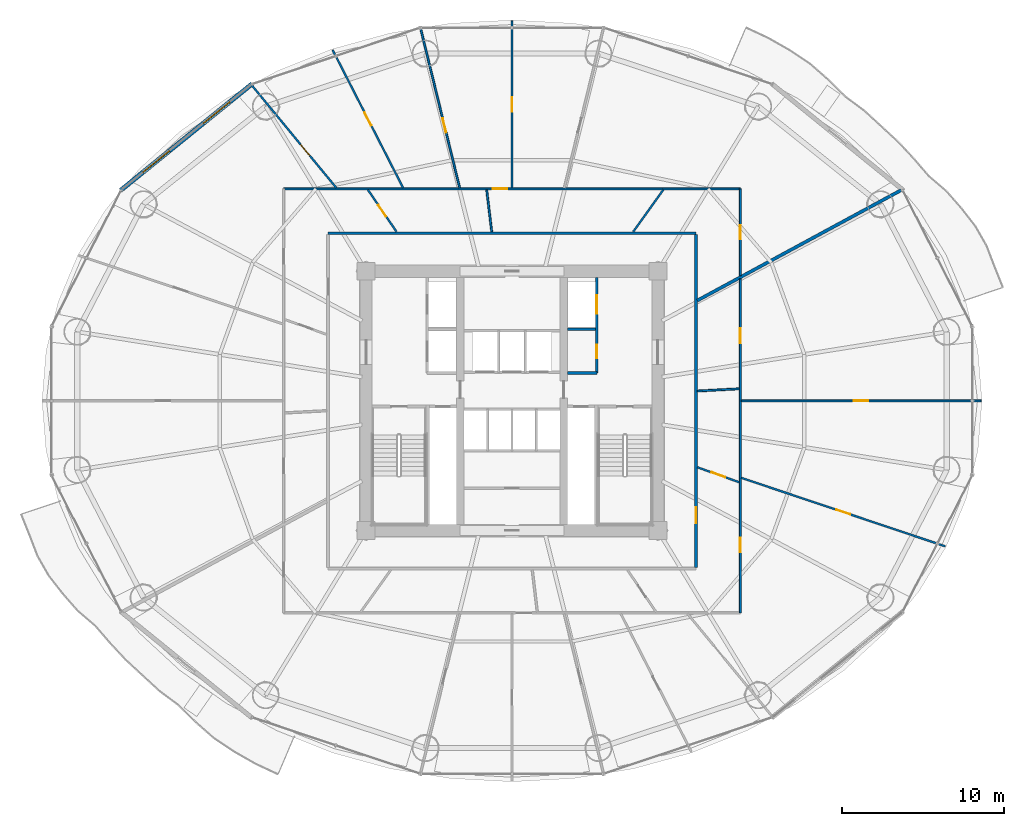
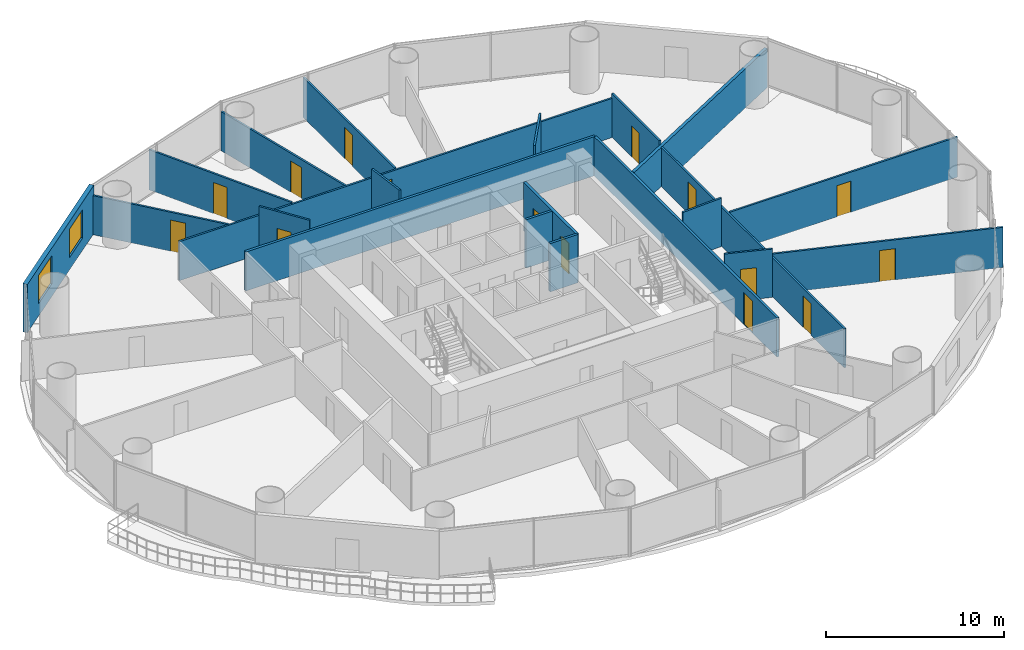
# One storey, part 25 of 30: 21 walls, 15 doors, 2 windows, 17 openings.
"""IFC4 building model written with IfcOpenShell, lengths in metres."""

import ifcopenshell
import ifcopenshell.guid

model = None  # the IFC model being written
_history = None  # IfcOwnerHistory: only IFC2X3 demands one
_inside = {}  # id of a spatial element -> (the spatial element, [elements in it])
_under = {}  # id of a project, library or spatial element -> (it, [spatial elements below it])
_declared = {}  # id of a project -> (the project, [libraries it declares])
_typed = {}  # id of a type object -> (the type object, [elements of that type])
_made_of = {}  # id of a material, layer set ... -> (it, [elements and type objects made of it])


def new_model(schema):
    """Start an empty IFC model of exactly this schema.

    Asked for "IFC4X3", IfcOpenShell would pick the latest addendum, in which some entities
    have other attributes; the version numbers below select the first issue.
    IFC2X3 requires an IfcOwnerHistory on every rooted entity: one is made here for all.
    """
    global model, _history
    if schema == "IFC4X3":
        model = ifcopenshell.file(schema_version=(4, 3, 0, 0))
    else:
        model = ifcopenshell.file(schema=schema)
    _inside.clear()
    _under.clear()
    _declared.clear()
    _typed.clear()
    _made_of.clear()
    _history = None
    if model.schema == "IFC2X3":
        org = make("IfcOrganization", Name="unknown")
        user = make(
            "IfcPersonAndOrganization",
            ThePerson=make("IfcPerson", FamilyName="unknown"),
            TheOrganization=org,
        )
        app = make(
            "IfcApplication",
            ApplicationDeveloper=org,
            Version="unknown",
            ApplicationFullName="unknown",
            ApplicationIdentifier="unknown",
        )
        _history = make(
            "IfcOwnerHistory",
            OwningUser=user,
            OwningApplication=app,
            ChangeAction="ADDED",
            CreationDate=0,
        )
    return model


def make(cls, **values):
    """One entity of the class cls with the attributes given. An attribute that is None is left unset."""
    return model.create_entity(
        cls, **{name: value for name, value in values.items() if value is not None}
    )


def rooted(cls, **values):
    """An entity with a GlobalId (a new one), such as an element, a storey or a relation."""
    return make(cls, GlobalId=ifcopenshell.guid.new(), OwnerHistory=_history, **values)


def si_unit(unit_type, name, prefix=None):
    """IfcSIUnit, for example si_unit("LENGTHUNIT", "METRE", prefix="MILLI")."""
    return make("IfcSIUnit", UnitType=unit_type, Prefix=prefix, Name=name)


def assignment(units):
    """IfcUnitAssignment: the units of a project."""
    return None if units is None else make("IfcUnitAssignment", Units=units)


def point(xyz):
    """IfcCartesianPoint."""
    return None if xyz is None else make("IfcCartesianPoint", Coordinates=xyz)


def direction(xyz):
    """IfcDirection."""
    return None if xyz is None else make("IfcDirection", DirectionRatios=xyz)


def frame(location, z_axis=None, x_axis=None):
    """IfcAxis2Placement3D, a coordinate frame: its origin and axes. An axis left out is left unset."""
    return make(
        "IfcAxis2Placement3D",
        Location=point(location),
        Axis=direction(z_axis),
        RefDirection=direction(x_axis),
    )


def frame_2d(location, x_axis=None):
    """IfcAxis2Placement2D, a coordinate frame in the plane: its origin and x axis."""
    return make(
        "IfcAxis2Placement2D", Location=point(location), RefDirection=direction(x_axis)
    )


def origin():
    """The frame at (0, 0, 0) with its axes left unset."""
    return frame((0.0, 0.0, 0.0))


def place(relative_to, where):
    """IfcLocalPlacement: puts the frame where relative to a parent placement (None: the world)."""
    return make(
        "IfcLocalPlacement", PlacementRelTo=relative_to, RelativePlacement=where
    )


def context(
    kind, dimensions, precision=None, world=None, true_north=None, identifier=None
):
    """IfcGeometricRepresentationContext, for example the 3D "Model" context."""
    return make(
        "IfcGeometricRepresentationContext",
        ContextIdentifier=identifier,
        ContextType=kind,
        CoordinateSpaceDimension=dimensions,
        Precision=precision,
        WorldCoordinateSystem=world,
        TrueNorth=true_north,
    )


def subcontext(parent, identifier, kind, view, scale=None):
    """IfcGeometricRepresentationSubContext, for example "Body" below "Model"."""
    return make(
        "IfcGeometricRepresentationSubContext",
        ContextIdentifier=identifier,
        ContextType=kind,
        ParentContext=parent,
        TargetScale=scale,
        TargetView=view,
    )


def project(units=None, contexts=None):
    """IfcProject with its units and contexts."""
    return rooted(
        "IfcProject",
        Name="project",
        RepresentationContexts=contexts,
        UnitsInContext=assignment(units),
    )


def spatial(cls, under=None, at=None, **own):
    """A site, building, storey or space (cls), placed at a placement, below another one or the project."""
    s = rooted(cls, ObjectPlacement=at, **own)
    if under is not None:
        _under.setdefault(under.id(), (under, []))[1].append(s)
    return s


def profile(cls, at=None, kind="AREA", **sizes):
    """A parametric profile (cls). Its sizes go by their IFC names, for example OverallWidth=200.0."""
    return make(cls, ProfileType=kind, Position=at, **sizes)


def rectangle(**sizes):
    """IfcRectangleProfileDef."""
    return profile("IfcRectangleProfileDef", **sizes)


def extrude(swept, where, along, depth):
    """IfcExtrudedAreaSolid: the profile swept, set in the frame where, extruded along a direction by depth."""
    return make(
        "IfcExtrudedAreaSolid",
        SweptArea=swept,
        Position=where,
        ExtrudedDirection=direction(along),
        Depth=depth,
    )


def shape(context_of_items, identifier, shape_type, items):
    """IfcShapeRepresentation: the items that make up one representation, for example the "Body"."""
    return make(
        "IfcShapeRepresentation",
        ContextOfItems=context_of_items,
        RepresentationIdentifier=identifier,
        RepresentationType=shape_type,
        Items=items,
    )


def source(mapping_origin, context_of_items, identifier, shape_type, items):
    """IfcRepresentationMap: a shape defined once, which mapped items show again and again."""
    return make(
        "IfcRepresentationMap",
        MappingOrigin=mapping_origin,
        MappedRepresentation=shape(context_of_items, identifier, shape_type, items),
    )


def transform(
    local_origin,
    x_axis=None,
    y_axis=None,
    z_axis=None,
    scale=None,
    scale2=None,
    scale3=None,
    uniform=True,
):
    """IfcCartesianTransformationOperator3D, or its non-uniform kind. x_axis, y_axis, z_axis: its Axis1, 2, 3."""
    if uniform:
        return make(
            "IfcCartesianTransformationOperator3D",
            Axis1=direction(x_axis),
            Axis2=direction(y_axis),
            LocalOrigin=point(local_origin),
            Scale=scale,
            Axis3=direction(z_axis),
        )
    return make(
        "IfcCartesianTransformationOperator3DnonUniform",
        Axis1=direction(x_axis),
        Axis2=direction(y_axis),
        LocalOrigin=point(local_origin),
        Scale=scale,
        Axis3=direction(z_axis),
        Scale2=scale2,
        Scale3=scale3,
    )


def mapped(mapping_source, mapping_target):
    """IfcMappedItem: shows the shape of a source again, moved by a transform."""
    return make(
        "IfcMappedItem", MappingSource=mapping_source, MappingTarget=mapping_target
    )


def material(Name=None, Category=None):
    """IfcMaterial."""
    return make("IfcMaterial", Name=Name, Category=Category)


def layer(
    of_material, thickness, ventilated=None, Name=None, Category=None, Priority=None
):
    """IfcMaterialLayer: one layer of a wall or slab, of a material (None: an air gap)."""
    return make(
        "IfcMaterialLayer",
        Material=of_material,
        LayerThickness=thickness,
        IsVentilated=ventilated,
        Name=Name,
        Category=Category,
        Priority=Priority,
    )


def layer_set(layers, Name=None):
    """IfcMaterialLayerSet."""
    return make("IfcMaterialLayerSet", MaterialLayers=layers, LayerSetName=Name)


def made_of(thing, what):
    """Note that an element or type object is made of a material, layer set ...; save() writes the relation."""
    if what is not None:
        _made_of.setdefault(what.id(), (what, []))[1].append(thing)
    return thing


def type_object(cls, material=None, **own):
    """A type object (cls), such as IfcWallType, which elements share."""
    return made_of(rooted(cls, **own), material)


def element(
    cls,
    number,
    at=None,
    inside=None,
    cuts=None,
    type_object=None,
    material=None,
    context=None,
    identifier="Body",
    shape_type=None,
    held_by="IfcProductDefinitionShape",
    body=None,
    shapes=None,
    **own,
):
    """One element of the class cls, such as IfcWall. Its Tag is "e" and its number.

    at: its placement. inside: the storey or other place that contains it. cuts: it is an
    opening in that element (IfcRelVoidsElement). A single representation is given by context,
    identifier, shape_type and body (its items); several are given by shapes. held_by: the class
    of the entity that holds the representations. save() writes the other relations.
    """
    e = rooted(cls, Tag="e%d" % number, ObjectPlacement=at, **own)
    if body is not None:
        shapes = [shape(context, identifier, shape_type, body)]
    if shapes is not None:
        e.Representation = make(held_by, Representations=shapes)
    if inside is not None:
        _inside.setdefault(inside.id(), (inside, []))[1].append(e)
    if cuts is not None:
        rooted(
            "IfcRelVoidsElement", RelatingBuildingElement=cuts, RelatedOpeningElement=e
        )
    if type_object is not None:
        _typed.setdefault(type_object.id(), (type_object, []))[1].append(e)
    return made_of(e, material)


def fill(opening, filler):
    """IfcRelFillsElement: the door or window that sits in an opening."""
    return rooted(
        "IfcRelFillsElement",
        RelatingOpeningElement=opening,
        RelatedBuildingElement=filler,
    )


def aggregate(whole, parts):
    """IfcRelAggregates: a whole, such as a stair, and the parts it consists of."""
    return rooted("IfcRelAggregates", RelatingObject=whole, RelatedObjects=parts)


def save(model, path):
    """Write the relations noted so far, then the file.

    IfcRelAggregates (storeys below a building ...), IfcRelContainedInSpatialStructure (elements
    in a storey), IfcRelDefinesByType, IfcRelAssociatesMaterial and IfcRelDeclares: one each for
    every whole, place, type object, material and project.
    """
    for whole, parts in _under.values():
        aggregate(whole, parts)
    for where, things in _inside.values():
        rooted(
            "IfcRelContainedInSpatialStructure",
            RelatedElements=things,
            RelatingStructure=where,
        )
    for kind, things in _typed.values():
        rooted("IfcRelDefinesByType", RelatedObjects=things, RelatingType=kind)
    for what, things in _made_of.values():
        rooted("IfcRelAssociatesMaterial", RelatedObjects=things, RelatingMaterial=what)
    for by, libraries in _declared.values():
        rooted("IfcRelDeclares", RelatingContext=by, RelatedDefinitions=libraries)
    model.write(path)


model = new_model("IFC4")

# Units and contexts
model_context = context("Model", 3, precision=1e-05, world=origin(), true_north=direction((-0.2419218956, 0.970295726276)))
body_context = subcontext(model_context, "Body", "Model", "MODEL_VIEW")
ifc_project = project(units=[si_unit("LENGTHUNIT", "METRE"), si_unit("AREAUNIT", "SQUARE_METRE"), si_unit("VOLUMEUNIT", "CUBIC_METRE"), si_unit("PLANEANGLEUNIT", "RADIAN"), si_unit("MASSUNIT", "GRAM", prefix="KILO")], contexts=[model_context])

# Site, building, storey
site_placement = place(None, origin())
site = spatial("IfcSite", under=ifc_project, at=site_placement, CompositionType="ELEMENT")
building_placement = place(site_placement, origin())
building = spatial("IfcBuilding", under=site, at=building_placement, Name="Cobrevalo Terracotta Tower", CompositionType="ELEMENT")
storey_placement = place(building_placement, frame((0.0, 0.0, 63.60009765625)))
storey = spatial("IfcBuildingStorey", under=building, at=storey_placement, Name="L16", CompositionType="ELEMENT", Elevation=63.60009765625)

# Walls
ifc_material_1 = material(Name="Gypsum board on steel stud", Category="steel")
ifc_layer_1 = layer(ifc_material_1, 0.159912109375)
ifc_layer_set_1 = layer_set([ifc_layer_1], Name="Gypsum board on steel stud")
wall_type_1 = type_object("IfcWallType", Name="Fire-rated corridor acoustic partition wall 160 mm", PredefinedType="PARTITIONING", material=ifc_layer_set_1)
wall_1_placement = place(storey_placement, frame((41.425048828125, 31.219970703125, 0.0), z_axis=(0.0, 0.0, 1.0), x_axis=(1.0, 0.0, 0.0)))
element("IfcWall", 1, at=wall_1_placement, inside=storey, type_object=wall_type_1, Name="L16 interior partition IW-L16-FF2-M", PredefinedType="PARTITIONING", context=body_context, shape_type="SweptSolid", body=[
    extrude(rectangle(XDim=1.71484375, YDim=0.159912109375, at=frame_2d((0.857421875, 0.0))), origin(), (0.0, 0.0, 1.0), 3.31982421875),
])
wall_2_placement = place(storey_placement, frame((41.425048828125, 28.52001953125, 0.0), z_axis=(0.0, 0.0, 1.0), x_axis=(1.0, 0.0, 0.0)))
element("IfcWall", 2, at=wall_2_placement, inside=storey, type_object=wall_type_1, Name="L16 interior partition IW-L16-FF2-S", PredefinedType="PARTITIONING", context=body_context, shape_type="SweptSolid", body=[
    extrude(rectangle(XDim=1.804931640625, YDim=0.159912109375, at=frame_2d((0.90234375, 0.0))), origin(), (0.0, 0.0, 1.0), 3.31982421875),
])
wall_3_placement = place(storey_placement, frame((26.64501953125, 37.155029296875, 0.0), z_axis=(0.0, 0.0, 1.0), x_axis=(1.0, 0.0, 0.0)))
element("IfcWall", 3, at=wall_3_placement, inside=storey, type_object=wall_type_1, Name="L16 interior partition IW-L16-COR-N", PredefinedType="PARTITIONING", context=body_context, shape_type="SweptSolid", body=[
    extrude(rectangle(XDim=22.7099609375, YDim=0.159912109375, at=frame_2d((11.35498046875, 0.0))), origin(), (0.0, 0.0, 1.0), 2.68798828125),
])

# Wall, opening, door
wall_4_placement = place(storey_placement, frame((49.35498046875, 16.52490234375, 0.0), z_axis=(0.0, 0.0, 1.0), x_axis=(0.0, 1.0, 0.0)))
wall_4 = element("IfcWall", 4, at=wall_4_placement, inside=storey, type_object=wall_type_1, Name="L16 interior partition IW-L16-COR-E", PredefinedType="PARTITIONING", context=body_context, shape_type="SweptSolid", body=[
    extrude(rectangle(XDim=20.550048828125, YDim=0.159912109375, at=frame_2d((10.27490234375, 0.0))), origin(), (0.0, 0.0, 1.0), 2.68798828125),
])
opening_1_placement = place(wall_4_placement, frame((2.733154296875, 0.0, 0.0)))
opening_1 = element("IfcOpeningElement", 5, at=opening_1_placement, cuts=wall_4, Name="Opening ID-05", PredefinedType="OPENING", context=body_context, shape_type="SweptSolid", body=[
    extrude(rectangle(XDim=0.97998046875, YDim=2.199951171875, at=frame_2d((0.489990234375, 1.10009765625))), frame((0.0, 0.08984375, 0.0), z_axis=(0.0, -1.0, 0.0), x_axis=(1.0, 0.0, 0.0)), (0.0, 0.0, 1.0), 0.179931640625),
])
ifc_material_2 = material(Name="Solid hardwood timber", Category="wood")
door_type_1 = type_object("IfcDoorType", Name="Residence entrance fire-rated acoustic timber door 980x2200 EI 60", OperationType="NOTDEFINED", PredefinedType="DOOR", material=ifc_material_2)
shared_shape_1 = source(origin(), body_context, "Body", "SweptSolid", [
    extrude(rectangle(XDim=0.97998046875, YDim=2.199951171875, at=frame_2d((0.489990234375, 1.10009765625))), frame((0.0, 0.02490234375, 0.0), z_axis=(0.0, -1.0, 0.0), x_axis=(1.0, 0.0, 0.0)), (0.0, 0.0, 1.0), 0.050048828125),
])
door_1_placement = place(opening_1_placement, frame((0.97998046875, 0.0, 0.0), z_axis=(0.0, 0.0, 1.0), x_axis=(-1.0, 0.0, 0.0)))
door_1 = element("IfcDoor", 6, at=door_1_placement, inside=storey, type_object=door_type_1, Name="Flat L16B fire-rated apartment entrance door", OperationType="SINGLE_SWING_LEFT", OverallHeight=2.199951171875, OverallWidth=0.97998046875, PredefinedType="DOOR", context=body_context, shape_type="MappedRepresentation", body=[
    mapped(shared_shape_1, transform((0.0, 0.0, 0.0), scale=1.0)),
])
fill(opening_1, door_1)

# Wall, openings, doors
ifc_layer_2 = layer(ifc_material_1, 0.179931640625)
ifc_layer_set_2 = layer_set([ifc_layer_2], Name="Gypsum board on steel stud")
wall_type_2 = type_object("IfcWallType", Name="Fire-rated shaft & lobby acoustic partition wall 180 mm", PredefinedType="PARTITIONING", material=ifc_layer_set_2)
wall_5_placement = place(storey_placement, frame((43.22998046875, 28.52001953125, 0.0), z_axis=(0.0, 0.0, 1.0), x_axis=(0.0, 1.0, 0.0)))
wall_5 = element("IfcWall", 7, at=wall_5_placement, inside=storey, type_object=wall_type_2, Name="L16 interior partition IW-L16-FF2-E", PredefinedType="PARTITIONING", context=body_context, shape_type="SweptSolid", body=[
    extrude(rectangle(XDim=5.905029296875, YDim=0.179931640625, at=frame_2d((2.95263671875, 0.0))), origin(), (0.0, 0.0, 1.0), 3.31982421875),
])
opening_2_placement = place(wall_5_placement, frame((0.905029296875, 0.0, 0.0)))
opening_2 = element("IfcOpeningElement", 8, at=opening_2_placement, cuts=wall_5, Name="Opening ID-22", PredefinedType="OPENING", context=body_context, shape_type="SweptSolid", body=[
    extrude(rectangle(XDim=0.85009765625, YDim=2.10009765625, at=frame_2d((0.425048828125, 1.050048828125))), frame((0.0, 0.10009765625, 0.0), z_axis=(0.0, -1.0, 0.0), x_axis=(1.0, 0.0, 0.0)), (0.0, 0.0, 1.0), 0.199951171875),
])
opening_3_placement = place(wall_5_placement, frame((3.655029296875, 0.0, 0.0)))
opening_3 = element("IfcOpeningElement", 9, at=opening_3_placement, cuts=wall_5, Name="Opening LD-02", PredefinedType="OPENING", context=body_context, shape_type="SweptSolid", body=[
    extrude(rectangle(XDim=1.14990234375, YDim=2.199951171875, at=frame_2d((0.574951171875, 1.10009765625))), frame((0.0, 0.10009765625, 0.0), z_axis=(0.0, -1.0, 0.0), x_axis=(1.0, 0.0, 0.0)), (0.0, 0.0, 1.0), 0.199951171875),
])
ifc_material_3 = material(Name="Powder-coated steel", Category="steel")
door_type_2 = type_object("IfcDoorType", Name="Riser shaft & meter closet fire access door 850x2100 EI 60", OperationType="NOTDEFINED", PredefinedType="DOOR", material=ifc_material_3)
shared_shape_2 = source(origin(), body_context, "Body", "SweptSolid", [
    extrude(rectangle(XDim=0.85009765625, YDim=2.10009765625, at=frame_2d((0.425048828125, 1.050048828125))), frame((0.0, 0.02490234375, 0.0), z_axis=(0.0, -1.0, 0.0), x_axis=(1.0, 0.0, 0.0)), (0.0, 0.0, 1.0), 0.050048828125),
])
door_2_placement = place(opening_2_placement, frame((0.85009765625, 0.0, 0.0), z_axis=(0.0, 0.0, 1.0), x_axis=(-1.0, 0.0, 0.0)))
door_2 = element("IfcDoor", 10, at=door_2_placement, inside=storey, type_object=door_type_2, Name="L16 housekeeping store door", OperationType="SINGLE_SWING_RIGHT", OverallHeight=2.10009765625, OverallWidth=0.85009765625, PredefinedType="DOOR", context=body_context, shape_type="MappedRepresentation", body=[
    mapped(shared_shape_2, transform((0.0, 0.0, 0.0), scale=1.0)),
])
fill(opening_2, door_2)
ifc_material_4 = material(Name="Brushed stainless steel", Category="steel")
door_type_3 = type_object("IfcDoorType", Name="Firefighting lift landing bi-parting sliding door 1150x2200 EI 120", OperationType="DOUBLE_DOOR_SLIDING", PredefinedType="DOOR", material=ifc_material_4)
shared_shape_3 = source(origin(), body_context, "Body", "SweptSolid", [
    extrude(rectangle(XDim=1.14990234375, YDim=2.199951171875, at=frame_2d((0.574951171875, 1.10009765625))), frame((0.0, 0.02490234375, 0.0), z_axis=(0.0, -1.0, 0.0), x_axis=(1.0, 0.0, 0.0)), (0.0, 0.0, 1.0), 0.050048828125),
])
door_3_placement = place(opening_3_placement, origin())
door_3 = element("IfcDoor", 11, at=door_3_placement, inside=storey, type_object=door_type_3, Name="L16 lift landing door FF-2", OperationType="DOUBLE_DOOR_SLIDING", OverallHeight=2.199951171875, OverallWidth=1.14990234375, PredefinedType="DOOR", context=body_context, shape_type="MappedRepresentation", body=[
    mapped(shared_shape_3, transform((0.0, 0.0, 0.0), scale=1.0)),
])
fill(opening_3, door_3)

# Wall
ifc_material_5 = material(Name="Autoclaved aerated concrete block", Category="concrete")
ifc_layer_3 = layer(ifc_material_5, 0.199951171875)
ifc_layer_set_3 = layer_set([ifc_layer_3], Name="Autoclaved aerated concrete block")
wall_type_3 = type_object("IfcWallType", Name="Fire-rated stair, shaft & demising masonry wall 200 mm", PredefinedType="PARTITIONING", material=ifc_layer_set_3)
wall_6_placement = place(storey_placement, frame((49.43505859375, 32.991455078125, 0.0), z_axis=(0.0, 0.0, 1.0), x_axis=(0.879369737803, 0.476139542819, 0.0)))
element("IfcWall", 12, at=wall_6_placement, inside=storey, type_object=wall_type_3, Name="L16 interior partition IW-L16-DEM-1", PredefinedType="PARTITIONING", context=body_context, shape_type="SweptSolid", body=[
    extrude(rectangle(XDim=14.294921875, YDim=0.199951171875, at=frame_2d((7.1474609375, 0.0))), origin(), (0.0, 0.0, 1.0), 2.68798828125),
])

# Wall, openings, windows
ifc_layer_4 = layer(ifc_material_5, 0.280029296875)
ifc_layer_set_4 = layer_set([ifc_layer_4], Name="Autoclaved aerated concrete block")
wall_type_4 = type_object("IfcWallType", Name="Insulated tower spandrel & pier wall 280 mm with terracotta rainscreen", PredefinedType="SOLIDWALL", material=ifc_layer_set_4)
wall_7_placement = place(storey_placement, frame((21.96728515625, 46.364990234375, 0.0), z_axis=(0.0, 0.0, 1.0), x_axis=(-0.777005352078, -0.62949398952, 0.0)))
wall_7 = element("IfcWall", 13, at=wall_7_placement, inside=storey, type_object=wall_type_4, Name="L16 terracotta rainscreen pier wall S06", PredefinedType="SOLIDWALL", context=body_context, shape_type="SweptSolid", body=[
    extrude(rectangle(XDim=10.44677734375, YDim=0.280029296875, at=frame_2d((5.223388671875, 0.0))), origin(), (0.0, 0.0, 1.0), 3.31982421875),
])
opening_4_placement = place(wall_7_placement, frame((1.7705078125, 0.0, 0.85009765625)))
opening_4 = element("IfcOpeningElement", 14, at=opening_4_placement, cuts=wall_7, Name="Opening WN-10", PredefinedType="OPENING", context=body_context, shape_type="SweptSolid", body=[
    extrude(rectangle(XDim=2.10009765625, YDim=1.949951171875, at=frame_2d((1.050048828125, 0.97509765625))), frame((0.0, 0.14990234375, 0.0), z_axis=(0.0, -1.0, 0.0), x_axis=(1.0, 0.0, 0.0)), (0.0, 0.0, 1.0), 0.300048828125),
])
opening_5_placement = place(wall_7_placement, frame((6.576171875, 0.0, 0.85009765625)))
opening_5 = element("IfcOpeningElement", 15, at=opening_5_placement, cuts=wall_7, Name="Opening WN-10", PredefinedType="OPENING", context=body_context, shape_type="SweptSolid", body=[
    extrude(rectangle(XDim=2.10009765625, YDim=1.949951171875, at=frame_2d((1.050048828125, 0.97509765625))), frame((0.0, 0.14990234375, 0.0), z_axis=(0.0, -1.0, 0.0), x_axis=(1.0, 0.0, 0.0)), (0.0, 0.0, 1.0), 0.300048828125),
])
ifc_material_6 = material(Name="Solar-control low-E double glazing", Category="glass")
window_type = type_object("IfcWindowType", Name="Wide panoramic low-E aluminium window 2100x1950", PartitioningType="SINGLE_PANEL", PredefinedType="WINDOW", material=ifc_material_6)
shared_shape_4 = source(origin(), body_context, "Body", "SweptSolid", [
    extrude(rectangle(XDim=2.10009765625, YDim=1.949951171875, at=frame_2d((1.050048828125, 0.97509765625))), frame((0.0, 0.030029296875, 0.0), z_axis=(0.0, -1.0, 0.0), x_axis=(1.0, 0.0, 0.0)), (0.0, 0.0, 1.0), 0.06005859375),
])
window_1_placement = place(opening_4_placement, origin())
window_1 = element("IfcWindow", 16, at=window_1_placement, inside=storey, type_object=window_type, Name="L16 suite window S06A", OverallHeight=1.949951171875, OverallWidth=2.10009765625, PartitioningType="SINGLE_PANEL", PredefinedType="WINDOW", context=body_context, shape_type="MappedRepresentation", body=[
    mapped(shared_shape_4, transform((0.0, 0.0, 0.0), scale=1.0)),
])
fill(opening_4, window_1)
window_2_placement = place(opening_5_placement, origin())
window_2 = element("IfcWindow", 17, at=window_2_placement, inside=storey, type_object=window_type, Name="L16 suite window S06B", OverallHeight=1.949951171875, OverallWidth=2.10009765625, PartitioningType="SINGLE_PANEL", PredefinedType="WINDOW", context=body_context, shape_type="MappedRepresentation", body=[
    mapped(shared_shape_4, transform((0.0, 0.0, 0.0), scale=1.0)),
])
fill(opening_5, window_2)

# Wall, opening, door
ifc_layer_5 = layer(ifc_material_1, 0.1201171875)
ifc_layer_set_5 = layer_set([ifc_layer_5], Name="Gypsum board on steel stud")
wall_type_5 = type_object("IfcWallType", Name="Residential internal acoustic stud partition 120 mm", PredefinedType="PARTITIONING", material=ifc_layer_set_5)
wall_8_placement = place(storey_placement, frame((23.9150390625, 39.885009765625, 0.0), z_axis=(0.0, 0.0, 1.0), x_axis=(1.0, 0.0, 0.0)))
wall_8 = element("IfcWall", 18, at=wall_8_placement, inside=storey, type_object=wall_type_5, Name="L16 interior partition IW-L16-U1-RING1_0", PredefinedType="PARTITIONING", context=body_context, shape_type="SweptSolid", body=[
    extrude(rectangle(XDim=28.169921875, YDim=0.1201171875, at=frame_2d((14.0849609375, 0.0))), origin(), (0.0, 0.0, 1.0), 2.68798828125),
])
opening_6_placement = place(wall_8_placement, frame((12.890625, 0.0, 0.0)))
opening_6 = element("IfcOpeningElement", 19, at=opening_6_placement, cuts=wall_8, Name="Opening ID-12", PredefinedType="OPENING", context=body_context, shape_type="SweptSolid", body=[
    extrude(rectangle(XDim=0.89990234375, YDim=2.14990234375, at=frame_2d((0.449951171875, 1.074951171875))), frame((0.0, 0.070068359375, 0.0), z_axis=(0.0, -1.0, 0.0), x_axis=(1.0, 0.0, 0.0)), (0.0, 0.0, 1.0), 0.14013671875),
])
ifc_material_7 = material(Name="Engineered timber", Category="wood")
door_type_4 = type_object("IfcDoorType", Name="Internal residence & suite timber door 900x2150", OperationType="NOTDEFINED", PredefinedType="DOOR", material=ifc_material_7)
shared_shape_5 = source(origin(), body_context, "Body", "SweptSolid", [
    extrude(rectangle(XDim=0.89990234375, YDim=2.14990234375, at=frame_2d((0.449951171875, 1.074951171875))), frame((0.0, 0.02490234375, 0.0), z_axis=(0.0, -1.0, 0.0), x_axis=(1.0, 0.0, 0.0)), (0.0, 0.0, 1.0), 0.050048828125),
])
door_4_placement = place(opening_6_placement, frame((0.89990234375, 0.0, 0.0), z_axis=(0.0, 0.0, 1.0), x_axis=(-1.0, 0.0, 0.0)))
door_4 = element("IfcDoor", 20, at=door_4_placement, inside=storey, type_object=door_type_4, Name="Flat L16A Home Office Study internal door", OperationType="SINGLE_SWING_LEFT", OverallHeight=2.14990234375, OverallWidth=0.89990234375, PredefinedType="DOOR", context=body_context, shape_type="MappedRepresentation", body=[
    mapped(shared_shape_5, transform((0.0, 0.0, 0.0), scale=1.0)),
])
fill(opening_6, door_4)

wall_9_placement = place(storey_placement, frame((52.0849609375, 39.885009765625, 0.0), z_axis=(0.0, 0.0, 1.0), x_axis=(0.0, -1.0, 0.0)))
wall_9 = element("IfcWall", 21, at=wall_9_placement, inside=storey, type_object=wall_type_5, Name="L16 interior partition IW-L16-U1-RING2_0", PredefinedType="PARTITIONING", context=body_context, shape_type="SweptSolid", body=[
    extrude(rectangle(XDim=5.356689453125, YDim=0.1201171875, at=frame_2d((2.67822265625, 0.0))), origin(), (0.0, 0.0, 1.0), 2.9990234375),
])
opening_7_placement = place(wall_9_placement, frame((2.248291015625, 0.0, 0.0)))
opening_7 = element("IfcOpeningElement", 22, at=opening_7_placement, cuts=wall_9, Name="Opening ID-19", PredefinedType="OPENING", context=body_context, shape_type="SweptSolid", body=[
    extrude(rectangle(XDim=0.860107421875, YDim=2.14990234375, at=frame_2d((0.43017578125, 1.074951171875))), frame((0.0, 0.070068359375, 0.0), z_axis=(0.0, -1.0, 0.0), x_axis=(1.0, 0.0, 0.0)), (0.0, 0.0, 1.0), 0.14013671875),
])
ifc_material_8 = material(Name="Moisture-sealed timber", Category="wood")
door_type_5 = type_object("IfcDoorType", Name="Suite bathroom internal timber door 860x2150", OperationType="NOTDEFINED", PredefinedType="DOOR", material=ifc_material_8)
shared_shape_6 = source(origin(), body_context, "Body", "SweptSolid", [
    extrude(rectangle(XDim=0.860107421875, YDim=2.14990234375, at=frame_2d((0.43017578125, 1.074951171875))), frame((0.0, 0.02490234375, 0.0), z_axis=(0.0, -1.0, 0.0), x_axis=(1.0, 0.0, 0.0)), (0.0, 0.0, 1.0), 0.050048828125),
])
door_5_placement = place(opening_7_placement, frame((0.860107421875, 0.0, 0.0), z_axis=(0.0, 0.0, 1.0), x_axis=(-1.0, 0.0, 0.0)))
door_5 = element("IfcDoor", 23, at=door_5_placement, inside=storey, type_object=door_type_5, Name="Flat L16A Guest Bathroom internal door", OperationType="SINGLE_SWING_RIGHT", OverallHeight=2.14990234375, OverallWidth=0.860107421875, PredefinedType="DOOR", context=body_context, shape_type="MappedRepresentation", body=[
    mapped(shared_shape_6, transform((0.0, 0.0, 0.0), scale=1.0)),
])
fill(opening_7, door_5)

wall_10_placement = place(storey_placement, frame((38.0, 39.947021484375, 0.0), z_axis=(0.0, 0.0, 1.0), x_axis=(0.0, 1.0, 0.0)))
wall_10 = element("IfcWall", 24, at=wall_10_placement, inside=storey, type_object=wall_type_5, Name="L16 interior partition IW-L16-U1-ORAD2M1", PredefinedType="PARTITIONING", context=body_context, shape_type="SweptSolid", body=[
    extrude(rectangle(XDim=10.29296875, YDim=0.1201171875, at=frame_2d((5.146484375, 0.0))), origin(), (0.0, 0.0, 1.0), 2.761962890625),
])
opening_8_placement = place(wall_10_placement, frame((4.696533203125, 0.0, 0.0)))
opening_8 = element("IfcOpeningElement", 25, at=opening_8_placement, cuts=wall_10, Name="Opening ID-12", PredefinedType="OPENING", context=body_context, shape_type="SweptSolid", body=[
    extrude(rectangle(XDim=0.89990234375, YDim=2.14990234375, at=frame_2d((0.449951171875, 1.074951171875))), frame((0.0, 0.070068359375, 0.0), z_axis=(0.0, -1.0, 0.0), x_axis=(1.0, 0.0, 0.0)), (0.0, 0.0, 1.0), 0.14013671875),
])
door_6_placement = place(opening_8_placement, frame((0.89990234375, 0.0, 0.0), z_axis=(0.0, 0.0, 1.0), x_axis=(-1.0, 0.0, 0.0)))
door_6 = element("IfcDoor", 26, at=door_6_placement, inside=storey, type_object=door_type_4, Name="Flat L16A Master Bedroom internal door", OperationType="SINGLE_SWING_RIGHT", OverallHeight=2.14990234375, OverallWidth=0.89990234375, PredefinedType="DOOR", context=body_context, shape_type="MappedRepresentation", body=[
    mapped(shared_shape_5, transform((0.0, 0.0, 0.0), scale=1.0)),
])
fill(opening_8, door_6)

wall_11_placement = place(storey_placement, frame((34.773193359375, 39.9453125, 0.0), z_axis=(0.0, 0.0, 1.0), x_axis=(-0.238375747469, 0.97117300365, 0.0)))
wall_11 = element("IfcWall", 27, at=wall_11_placement, inside=storey, type_object=wall_type_5, Name="L16 interior partition IW-L16-U1-ORAD2", PredefinedType="PARTITIONING", context=body_context, shape_type="SweptSolid", body=[
    extrude(rectangle(XDim=10.086181640625, YDim=0.1201171875, at=frame_2d((5.04296875, 0.0))), origin(), (0.0, 0.0, 1.0), 2.68798828125),
])
opening_9_placement = place(wall_11_placement, frame((3.5185546875, 0.0, 0.0)))
opening_9 = element("IfcOpeningElement", 28, at=opening_9_placement, cuts=wall_11, Name="Opening ID-12", PredefinedType="OPENING", context=body_context, shape_type="SweptSolid", body=[
    extrude(rectangle(XDim=0.89990234375, YDim=2.14990234375, at=frame_2d((0.449951171875, 1.074951171875))), frame((0.0, 0.070068359375, 0.0), z_axis=(0.0, -1.0, 0.0), x_axis=(1.0, 0.0, 0.0)), (0.0, 0.0, 1.0), 0.14013671875),
])
door_7_placement = place(opening_9_placement, frame((0.89990234375, 0.0, 0.0), z_axis=(0.0, 0.0, 1.0), x_axis=(-1.0, 0.0, 0.0)))
door_7 = element("IfcDoor", 29, at=door_7_placement, inside=storey, type_object=door_type_4, Name="Flat L16A Principal Guest Bedroom internal door", OperationType="SINGLE_SWING_RIGHT", OverallHeight=2.14990234375, OverallWidth=0.89990234375, PredefinedType="DOOR", context=body_context, shape_type="MappedRepresentation", body=[
    mapped(shared_shape_5, transform((0.0, 0.0, 0.0), scale=1.0)),
])
fill(opening_9, door_7)

wall_12_placement = place(storey_placement, frame((31.283203125, 39.940185546875, 0.0), z_axis=(0.0, 0.0, 1.0), x_axis=(-0.455131303234, 0.890424335256, 0.0)))
wall_12 = element("IfcWall", 30, at=wall_12_placement, inside=storey, type_object=wall_type_5, Name="L16 interior partition IW-L16-U1-ORAD3M1", PredefinedType="PARTITIONING", context=body_context, shape_type="SweptSolid", body=[
    extrude(rectangle(XDim=9.562255859375, YDim=0.1201171875, at=frame_2d((4.78125, 0.0))), origin(), (0.0, 0.0, 1.0), 2.761962890625),
])
opening_10_placement = place(wall_12_placement, frame((4.3310546875, 0.0, 0.0)))
opening_10 = element("IfcOpeningElement", 31, at=opening_10_placement, cuts=wall_12, Name="Opening ID-12", PredefinedType="OPENING", context=body_context, shape_type="SweptSolid", body=[
    extrude(rectangle(XDim=0.89990234375, YDim=2.14990234375, at=frame_2d((0.449951171875, 1.074951171875))), frame((0.0, 0.070068359375, 0.0), z_axis=(0.0, -1.0, 0.0), x_axis=(1.0, 0.0, 0.0)), (0.0, 0.0, 1.0), 0.14013671875),
])
door_8_placement = place(opening_10_placement, frame((0.89990234375, 0.0, 0.0), z_axis=(0.0, 0.0, 1.0), x_axis=(-1.0, 0.0, 0.0)))
door_8 = element("IfcDoor", 32, at=door_8_placement, inside=storey, type_object=door_type_4, Name="Flat L16A Principal Guest Bedroom internal door", OperationType="SINGLE_SWING_LEFT", OverallHeight=2.14990234375, OverallWidth=0.89990234375, PredefinedType="DOOR", context=body_context, shape_type="MappedRepresentation", body=[
    mapped(shared_shape_5, transform((0.0, 0.0, 0.0), scale=1.0)),
])
fill(opening_10, door_8)

wall_13_placement = place(storey_placement, frame((27.171142578125, 39.932861328125, 0.0), z_axis=(0.0, 0.0, 1.0), x_axis=(-0.636192172227, 0.771530634516, 0.0)))
wall_13 = element("IfcWall", 33, at=wall_13_placement, inside=storey, type_object=wall_type_5, Name="L16 interior partition IW-L16-U1-ORAD3", PredefinedType="PARTITIONING", context=body_context, shape_type="SweptSolid", body=[
    extrude(rectangle(XDim=8.186279296875, YDim=0.1201171875, at=frame_2d((4.09326171875, 0.0))), origin(), (0.0, 0.0, 1.0), 2.68798828125),
])
opening_11_placement = place(wall_13_placement, frame((2.584228515625, 0.0, 0.0)))
opening_11 = element("IfcOpeningElement", 34, at=opening_11_placement, cuts=wall_13, Name="Opening ID-12", PredefinedType="OPENING", context=body_context, shape_type="SweptSolid", body=[
    extrude(rectangle(XDim=0.89990234375, YDim=2.14990234375, at=frame_2d((0.449951171875, 1.074951171875))), frame((0.0, 0.070068359375, 0.0), z_axis=(0.0, -1.0, 0.0), x_axis=(1.0, 0.0, 0.0)), (0.0, 0.0, 1.0), 0.14013671875),
])
door_9_placement = place(opening_11_placement, frame((0.89990234375, 0.0, 0.0), z_axis=(0.0, 0.0, 1.0), x_axis=(-1.0, 0.0, 0.0)))
door_9 = element("IfcDoor", 35, at=door_9_placement, inside=storey, type_object=door_type_4, Name="Flat L16A Principal Guest Bedroom internal door", OperationType="SINGLE_SWING_RIGHT", OverallHeight=2.14990234375, OverallWidth=0.89990234375, PredefinedType="DOOR", context=body_context, shape_type="MappedRepresentation", body=[
    mapped(shared_shape_5, transform((0.0, 0.0, 0.0), scale=1.0)),
])
fill(opening_11, door_9)

# Walls
wall_14_placement = place(storey_placement, frame((45.48095703125, 37.236572265625, 0.0), z_axis=(0.0, 0.0, 1.0), x_axis=(0.582530715463, 0.812808689387, 0.0)))
element("IfcWall", 36, at=wall_14_placement, inside=storey, type_object=wall_type_5, Name="L16 interior partition IW-L16-U1-IRAD1", PredefinedType="PARTITIONING", context=body_context, shape_type="SweptSolid", body=[
    extrude(rectangle(XDim=3.196533203125, YDim=0.1201171875, at=frame_2d((1.59814453125, 0.0))), origin(), (0.0, 0.0, 1.0), 3.31982421875),
])
wall_15_placement = place(storey_placement, frame((36.74853515625, 37.237060546875, 0.0), z_axis=(0.0, 0.0, 1.0), x_axis=(-0.119119351225, 0.992879942472, 0.0)))
element("IfcWall", 37, at=wall_15_placement, inside=storey, type_object=wall_type_5, Name="L16 interior partition IW-L16-U1-IRAD2", PredefinedType="PARTITIONING", context=body_context, shape_type="SweptSolid", body=[
    extrude(rectangle(XDim=2.60498046875, YDim=0.1201171875, at=frame_2d((1.302490234375, 0.0))), origin(), (0.0, 0.0, 1.0), 3.31982421875),
])

# Wall, opening, door
wall_16_placement = place(storey_placement, frame((30.87548828125, 37.236572265625, 0.0), z_axis=(0.0, 0.0, 1.0), x_axis=(-0.563751131022, 0.825944708967, 0.0)))
wall_16 = element("IfcWall", 38, at=wall_16_placement, inside=storey, type_object=wall_type_5, Name="L16 interior partition IW-L16-U1-IRAD3", PredefinedType="PARTITIONING", context=body_context, shape_type="SweptSolid", body=[
    extrude(rectangle(XDim=3.14453125, YDim=0.1201171875, at=frame_2d((1.572265625, 0.0))), origin(), (0.0, 0.0, 1.0), 3.31982421875),
])
opening_12_placement = place(wall_16_placement, frame((1.142333984375, 0.0, 0.0)))
opening_12 = element("IfcOpeningElement", 39, at=opening_12_placement, cuts=wall_16, Name="Opening ID-19", PredefinedType="OPENING", context=body_context, shape_type="SweptSolid", body=[
    extrude(rectangle(XDim=0.860107421875, YDim=2.14990234375, at=frame_2d((0.43017578125, 1.074951171875))), frame((0.0, 0.070068359375, 0.0), z_axis=(0.0, -1.0, 0.0), x_axis=(1.0, 0.0, 0.0)), (0.0, 0.0, 1.0), 0.14013671875),
])
door_10_placement = place(opening_12_placement, frame((0.860107421875, 0.0, 0.0), z_axis=(0.0, 0.0, 1.0), x_axis=(-1.0, 0.0, 0.0)))
door_10 = element("IfcDoor", 40, at=door_10_placement, inside=storey, type_object=door_type_5, Name="Flat L16A Primary Bathroom internal door", OperationType="SINGLE_SWING_RIGHT", OverallHeight=2.14990234375, OverallWidth=0.860107421875, PredefinedType="DOOR", context=body_context, shape_type="MappedRepresentation", body=[
    mapped(shared_shape_6, transform((0.0, 0.0, 0.0), scale=1.0)),
])
fill(opening_12, door_10)

# Wall, openings, doors
wall_17_placement = place(storey_placement, frame((52.0849609375, 34.324462890625, 0.0), z_axis=(0.0, 0.0, 1.0), x_axis=(0.0, -1.0, 0.0)))
wall_17 = element("IfcWall", 41, at=wall_17_placement, inside=storey, type_object=wall_type_5, Name="L16 interior partition IW-L16-U2-RING0_0", PredefinedType="PARTITIONING", context=body_context, shape_type="SweptSolid", body=[
    extrude(rectangle(XDim=20.609375, YDim=0.1201171875, at=frame_2d((10.3046875, 0.0))), origin(), (0.0, 0.0, 1.0), 2.68798828125),
])
opening_13_placement = place(wall_17_placement, frame((15.972412109375, 0.0, 0.0)))
opening_13 = element("IfcOpeningElement", 42, at=opening_13_placement, cuts=wall_17, Name="Opening ID-12", PredefinedType="OPENING", context=body_context, shape_type="SweptSolid", body=[
    extrude(rectangle(XDim=0.89990234375, YDim=2.14990234375, at=frame_2d((0.449951171875, 1.074951171875))), frame((0.0, 0.070068359375, 0.0), z_axis=(0.0, -1.0, 0.0), x_axis=(1.0, 0.0, 0.0)), (0.0, 0.0, 1.0), 0.14013671875),
])
opening_14_placement = place(wall_17_placement, frame((3.058349609375, 0.0, 0.0)))
opening_14 = element("IfcOpeningElement", 43, at=opening_14_placement, cuts=wall_17, Name="Opening ID-12", PredefinedType="OPENING", context=body_context, shape_type="SweptSolid", body=[
    extrude(rectangle(XDim=0.89990234375, YDim=2.14990234375, at=frame_2d((0.449951171875, 1.074951171875))), frame((0.0, 0.070068359375, 0.0), z_axis=(0.0, -1.0, 0.0), x_axis=(1.0, 0.0, 0.0)), (0.0, 0.0, 1.0), 0.14013671875),
])
door_11_placement = place(opening_13_placement, origin())
door_11 = element("IfcDoor", 44, at=door_11_placement, inside=storey, type_object=door_type_4, Name="Flat L16B Penthouse Family Lounge internal door", OperationType="SINGLE_SWING_RIGHT", OverallHeight=2.14990234375, OverallWidth=0.89990234375, PredefinedType="DOOR", context=body_context, shape_type="MappedRepresentation", body=[
    mapped(shared_shape_5, transform((0.0, 0.0, 0.0), scale=1.0)),
])
fill(opening_13, door_11)
door_12_placement = place(opening_14_placement, frame((0.89990234375, 0.0, 0.0), z_axis=(0.0, 0.0, 1.0), x_axis=(-1.0, 0.0, 0.0)))
door_12 = element("IfcDoor", 45, at=door_12_placement, inside=storey, type_object=door_type_4, Name="Flat L16B Utility Closet internal door", OperationType="SINGLE_SWING_LEFT", OverallHeight=2.14990234375, OverallWidth=0.89990234375, PredefinedType="DOOR", context=body_context, shape_type="MappedRepresentation", body=[
    mapped(shared_shape_5, transform((0.0, 0.0, 0.0), scale=1.0)),
])
fill(opening_14, door_12)

# Wall, opening, door
wall_18_placement = place(storey_placement, frame((52.143798828125, 22.052490234375, 0.0), z_axis=(0.0, 0.0, 1.0), x_axis=(0.948023034133, -0.318201707653, 0.0)))
wall_18 = element("IfcWall", 46, at=wall_18_placement, inside=storey, type_object=wall_type_5, Name="L16 interior partition IW-L16-U2-ORAD4", PredefinedType="PARTITIONING", context=body_context, shape_type="SweptSolid", body=[
    extrude(rectangle(XDim=13.27880859375, YDim=0.1201171875, at=frame_2d((6.639404296875, 0.0))), origin(), (0.0, 0.0, 1.0), 2.761962890625),
])
opening_15_placement = place(wall_18_placement, frame((6.189453125, 0.0, 0.0)))
opening_15 = element("IfcOpeningElement", 47, at=opening_15_placement, cuts=wall_18, Name="Opening ID-12", PredefinedType="OPENING", context=body_context, shape_type="SweptSolid", body=[
    extrude(rectangle(XDim=0.89990234375, YDim=2.14990234375, at=frame_2d((0.449951171875, 1.074951171875))), frame((0.0, 0.070068359375, 0.0), z_axis=(0.0, -1.0, 0.0), x_axis=(1.0, 0.0, 0.0)), (0.0, 0.0, 1.0), 0.14013671875),
])
door_13_placement = place(opening_15_placement, origin())
door_13 = element("IfcDoor", 48, at=door_13_placement, inside=storey, type_object=door_type_4, Name="Flat L16B Penthouse Family Lounge internal door", OperationType="SINGLE_SWING_LEFT", OverallHeight=2.14990234375, OverallWidth=0.89990234375, PredefinedType="DOOR", context=body_context, shape_type="MappedRepresentation", body=[
    mapped(shared_shape_5, transform((0.0, 0.0, 0.0), scale=1.0)),
])
fill(opening_15, door_13)

wall_19_placement = place(storey_placement, frame((52.14697265625, 26.800048828125, 0.0), z_axis=(0.0, 0.0, 1.0), x_axis=(1.0, 0.0, 0.0)))
wall_19 = element("IfcWall", 49, at=wall_19_placement, inside=storey, type_object=wall_type_5, Name="L16 interior partition IW-L16-U2-ORAD5", PredefinedType="PARTITIONING", context=body_context, shape_type="SweptSolid", body=[
    extrude(rectangle(XDim=14.79296875, YDim=0.1201171875, at=frame_2d((7.396484375, 0.0))), origin(), (0.0, 0.0, 1.0), 2.761962890625),
])
opening_16_placement = place(wall_19_placement, frame((6.946533203125, 0.0, 0.0)))
opening_16 = element("IfcOpeningElement", 50, at=opening_16_placement, cuts=wall_19, Name="Opening ID-12", PredefinedType="OPENING", context=body_context, shape_type="SweptSolid", body=[
    extrude(rectangle(XDim=0.89990234375, YDim=2.14990234375, at=frame_2d((0.449951171875, 1.074951171875))), frame((0.0, 0.070068359375, 0.0), z_axis=(0.0, -1.0, 0.0), x_axis=(1.0, 0.0, 0.0)), (0.0, 0.0, 1.0), 0.14013671875),
])
door_14_placement = place(opening_16_placement, origin())
door_14 = element("IfcDoor", 51, at=door_14_placement, inside=storey, type_object=door_type_4, Name="Flat L16B Private Cinema Room internal door", OperationType="SINGLE_SWING_RIGHT", OverallHeight=2.14990234375, OverallWidth=0.89990234375, PredefinedType="DOOR", context=body_context, shape_type="MappedRepresentation", body=[
    mapped(shared_shape_5, transform((0.0, 0.0, 0.0), scale=1.0)),
])
fill(opening_16, door_14)

wall_20_placement = place(storey_placement, frame((49.43505859375, 22.703369140625, 0.0), z_axis=(0.0, 0.0, 1.0), x_axis=(0.941406362049, -0.337274460186, 0.0)))
wall_20 = element("IfcWall", 52, at=wall_20_placement, inside=storey, type_object=wall_type_5, Name="L16 interior partition IW-L16-U2-IRAD4", PredefinedType="PARTITIONING", context=body_context, shape_type="SweptSolid", body=[
    extrude(rectangle(XDim=2.7529296875, YDim=0.1201171875, at=frame_2d((1.37646484375, 0.0))), origin(), (0.0, 0.0, 1.0), 3.31982421875),
])
opening_17_placement = place(wall_20_placement, frame((0.926513671875, 0.0, 0.0)))
opening_17 = element("IfcOpeningElement", 53, at=opening_17_placement, cuts=wall_20, Name="Opening ID-12", PredefinedType="OPENING", context=body_context, shape_type="SweptSolid", body=[
    extrude(rectangle(XDim=0.89990234375, YDim=2.14990234375, at=frame_2d((0.449951171875, 1.074951171875))), frame((0.0, 0.070068359375, 0.0), z_axis=(0.0, -1.0, 0.0), x_axis=(1.0, 0.0, 0.0)), (0.0, 0.0, 1.0), 0.14013671875),
])
door_15_placement = place(opening_17_placement, origin())
door_15 = element("IfcDoor", 54, at=door_15_placement, inside=storey, type_object=door_type_4, Name="Flat L16B Kitchen internal door", OperationType="SINGLE_SWING_LEFT", OverallHeight=2.14990234375, OverallWidth=0.89990234375, PredefinedType="DOOR", context=body_context, shape_type="MappedRepresentation", body=[
    mapped(shared_shape_5, transform((0.0, 0.0, 0.0), scale=1.0)),
])
fill(opening_17, door_15)

# Wall
wall_21_placement = place(storey_placement, frame((49.43505859375, 27.4072265625, 0.0), z_axis=(0.0, 0.0, 1.0), x_axis=(0.998587742853, 0.053127392413, 0.0)))
element("IfcWall", 55, at=wall_21_placement, inside=storey, type_object=wall_type_5, Name="L16 interior partition IW-L16-U2-IRAD5", PredefinedType="PARTITIONING", context=body_context, shape_type="SweptSolid", body=[
    extrude(rectangle(XDim=2.591796875, YDim=0.1201171875, at=frame_2d((1.2958984375, 0.0))), origin(), (0.0, 0.0, 1.0), 3.31982421875),
])

save(model, "model.ifc")
